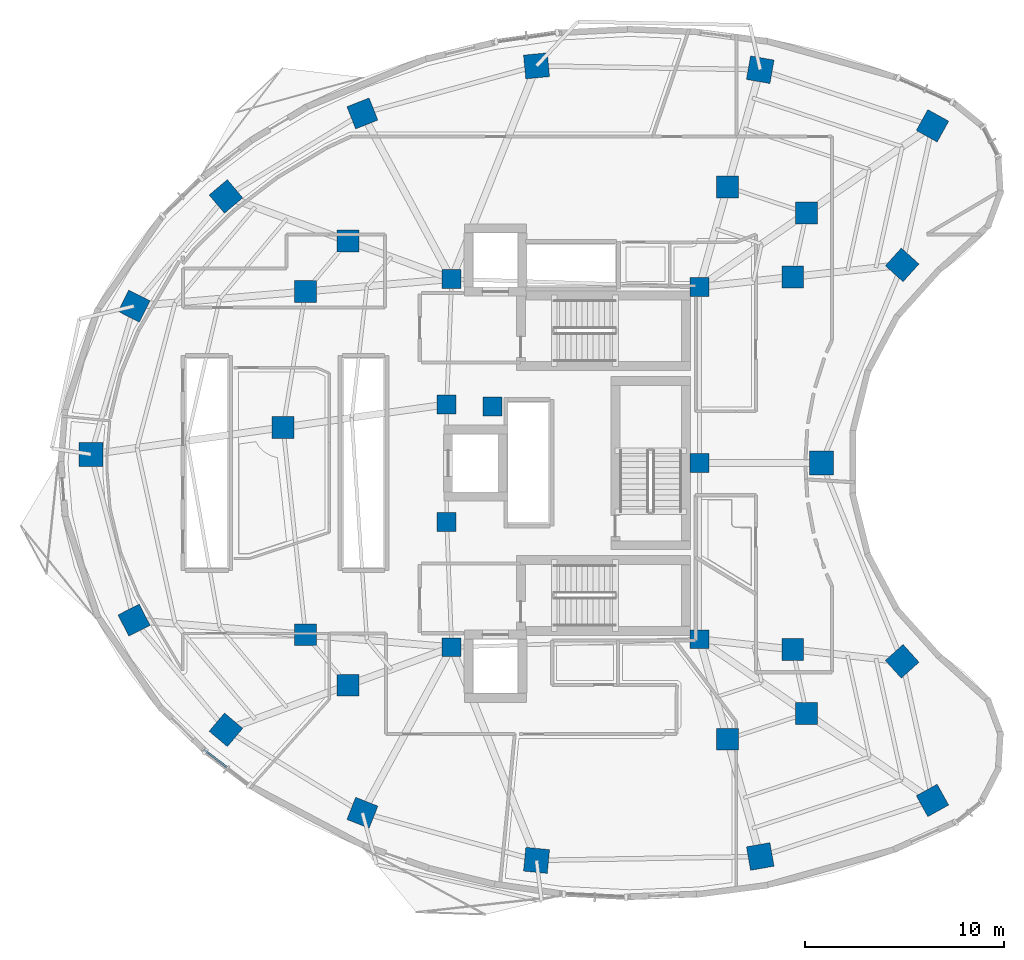
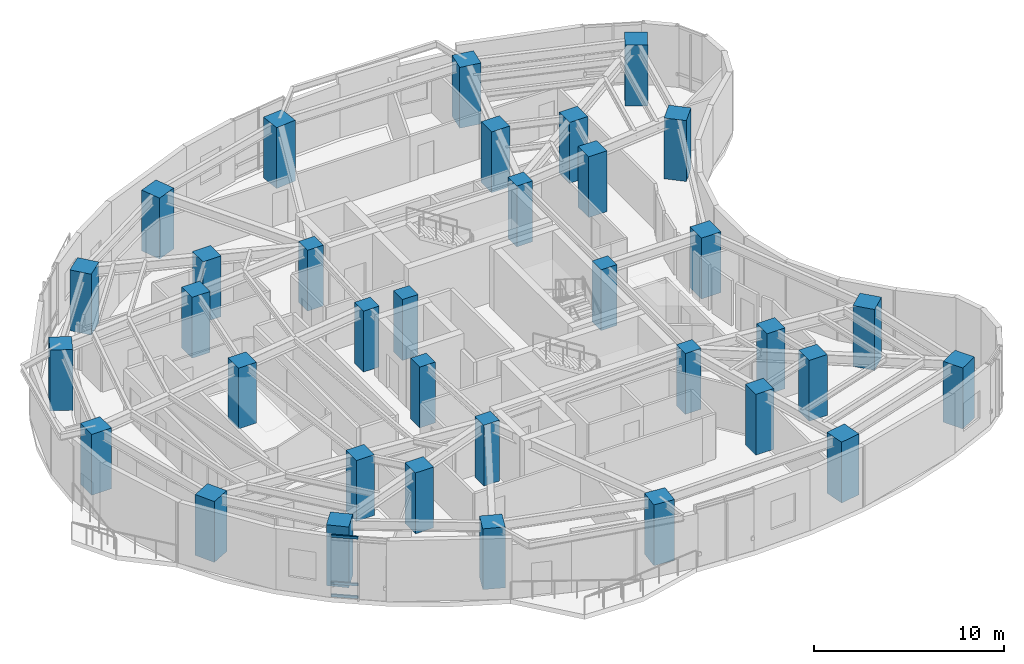
# One storey, part 1 of 14: 35 columns, 3 members, 1 element without a shape of its own.
"""IFC4 building model written with IfcOpenShell, lengths in metres."""

from ifc_helpers import new_model, si_unit, direction, frame, origin, origin_2d, place, context, subcontext, project, spatial, rectangle, extrude, material, layer, layer_set, material_profile, profile_set, type_object, element, aggregate, save


model = new_model("IFC4")

# Units and contexts
model_context = context("Model", 3, precision=1e-05, world=origin(), true_north=direction((0.0, 1.0)))
body_context = subcontext(model_context, "Body", "Model", "MODEL_VIEW")
ifc_project = project(units=[si_unit("LENGTHUNIT", "METRE"), si_unit("AREAUNIT", "SQUARE_METRE"), si_unit("VOLUMEUNIT", "CUBIC_METRE"), si_unit("PLANEANGLEUNIT", "RADIAN"), si_unit("MASSUNIT", "GRAM", prefix="KILO")], contexts=[model_context])

# Site, building, storey
site_placement = place(None, origin())
site = spatial("IfcSite", under=ifc_project, at=site_placement, CompositionType="ELEMENT")
building_placement = place(site_placement, origin())
building = spatial("IfcBuilding", under=site, at=building_placement, Name="Korentha Bioscience Tower", CompositionType="ELEMENT")
storey_placement = place(building_placement, frame((0.0, 0.0, 90.0)))
storey = spatial("IfcBuildingStorey", under=building, at=storey_placement, Name="L20", CompositionType="ELEMENT", Elevation=90.0)

# Columns
ifc_material_1 = material(Name="Concrete C65", Category="concrete")
ifc_material_profile_1 = material_profile(ifc_material_1, rectangle(XDim=0.949951171875, YDim=0.949951171875, at=origin_2d()), Name="Concrete C65")
ifc_profile_set_1 = profile_set([ifc_material_profile_1], Name="Concrete C65 (COL-CP09)")
column_type_1 = type_object("IfcColumnType", Name="Core Pilaster Column RC 950x950", PredefinedType="PILASTER", material=ifc_profile_set_1)
for number, where, z_axis, x_axis, name in (
    (1, (37.550048828125, 35.85009765625, -0.00048828125), (0.0, 0.0, 1.0), (1.0, 0.0, 0.0), "L20 Core Pilaster CP-01"),
    (2, (25.10009765625, 36.25, -0.00048828125), (0.0, 0.0, 1.0), (1.0, 0.0, 0.0), "L20 Core Pilaster CP-02"),
    (3, (24.85009765625, 29.949951171875, -0.00048828125), (0.0, 0.0, 1.0), (1.0, 0.0, 0.0), "L20 Core Pilaster CP-03"),
    (4, (27.14990234375, 29.85009765625, -0.00048828125), (0.0, 0.0, 1.0), (1.0, 0.0, 0.0), "L20 Core Pilaster CP-04"),
    (5, (24.85009765625, 24.050048828125, -0.00048828125), (0.0, 0.0, 1.0), (1.0, 0.0, 0.0), "L20 Core Pilaster CP-05"),
    (6, (25.10009765625, 17.75, -0.00048828125), (0.0, 0.0, 1.0), (1.0, 0.0, 0.0), "L20 Core Pilaster CP-06"),
    (7, (37.550048828125, 18.14990234375, -0.00048828125), (0.0, 0.0, 1.0), (1.0, 0.0, 0.0), "L20 Core Pilaster CP-07"),
    (8, (37.550048828125, 27.0, -0.00048828125), (0.0, 0.0, 1.0), (1.0, 0.0, 0.0), "L20 Core Pilaster CP-08"),
):
    element("IfcColumn", number, at=place(storey_placement, frame(where, z_axis=z_axis, x_axis=x_axis)), inside=storey, type_object=column_type_1, Name=name, PredefinedType="PILASTER", context=body_context, shape_type="SweptSolid", body=[
        extrude(rectangle(XDim=0.949951171875, YDim=0.949951171875, at=origin_2d()), origin(), (0.0, 0.0, 1.0), 3.90087890625),
    ])
ifc_material_2 = material(Name="Concrete C80", Category="concrete")
ifc_material_profile_2 = material_profile(ifc_material_2, rectangle(XDim=1.10009765625, YDim=1.10009765625, at=origin_2d()), Name="Concrete C80")
ifc_profile_set_2 = profile_set([ifc_material_profile_2], Name="Concrete C80 (COL-MR11)")
column_type_2 = type_object("IfcColumnType", Name="Mid-Ring Lab Column RC 1100x1100", PredefinedType="COLUMN", material=ifc_profile_set_2)
for number, where, z_axis, x_axis, name in (
    (9, (42.93603515625, 39.57470703125, -0.00048828125), (0.0, 0.0, 1.0), (1.0, 0.0, 0.0), "L20 Mid-Ring Column 01"),
    (10, (38.954833984375, 40.870849609375, -0.00048828125), (0.0, 0.0, 1.0), (1.0, 0.0, 0.0), "L20 Mid-Ring Column 02"),
    (11, (19.882568359375, 38.158935546875, -0.00048828125), (0.0, 0.0, 1.0), (1.0, 0.0, 0.0), "L20 Mid-Ring Column 05"),
    (12, (17.75927734375, 35.6240234375, -0.00048828125), (0.0, 0.0, 1.0), (1.0, 0.0, 0.0), "L20 Mid-Ring Column 06"),
    (13, (16.627197265625, 28.796630859375, -0.00048828125), (0.0, 0.0, 1.0), (1.0, 0.0, 0.0), "L20 Mid-Ring Column 07"),
    (14, (17.75927734375, 18.3759765625, -0.00048828125), (0.0, 0.0, 1.0), (1.0, 0.0, 0.0), "L20 Mid-Ring Column 08"),
    (15, (19.882568359375, 15.841064453125, -0.00048828125), (0.0, 0.0, 1.0), (1.0, 0.0, 0.0), "L20 Mid-Ring Column 09"),
    (16, (38.954833984375, 13.129150390625, -0.00048828125), (0.0, 0.0, 1.0), (1.0, 0.0, 0.0), "L20 Mid-Ring Column 12"),
    (17, (42.93603515625, 14.42529296875, -0.00048828125), (0.0, 0.0, 1.0), (1.0, 0.0, 0.0), "L20 Mid-Ring Column 13"),
    (18, (42.235595703125, 17.639404296875, -0.00048828125), (0.0, 0.0, 1.0), (1.0, 0.0, 0.0), "L20 Mid-Ring Column 14"),
    (19, (42.235595703125, 36.360595703125, -0.00048828125), (0.0, 0.0, 1.0), (1.0, 0.0, 0.0), "L20 Mid-Ring Column 16"),
):
    element("IfcColumn", number, at=place(storey_placement, frame(where, z_axis=z_axis, x_axis=x_axis)), inside=storey, type_object=column_type_2, Name=name, PredefinedType="COLUMN", context=body_context, shape_type="SweptSolid", body=[
        extrude(rectangle(XDim=1.10009765625, YDim=1.10009765625, at=origin_2d()), origin(), (0.0, 0.0, 1.0), 3.90087890625),
    ])
ifc_material_profile_3 = material_profile(ifc_material_2, rectangle(XDim=1.199951171875, YDim=1.199951171875, at=origin_2d()), Name="Concrete C80")
ifc_profile_set_3 = profile_set([ifc_material_profile_3], Name="Concrete C80 (COL-P12)")
column_type_3 = type_object("IfcColumnType", Name="Perimeter Column RC 1200x1200", PredefinedType="COLUMN", material=ifc_profile_set_3)
for number, where, z_axis, x_axis, name in (
    (20, (49.2587890625, 43.947021484375, -0.00048828125), (0.0, 0.0, 1.0), (-0.874535078577, 0.484962262797, 0.0), "L20 Perimeter Column 01"),
    (21, (40.604248046875, 46.764892578125, -0.00048828125), (0.0, 0.0, 1.0), (-0.984868307662, 0.173304404339, 0.0), "L20 Perimeter Column 02"),
    (22, (29.3642578125, 46.959228515625, -0.00048828125), (0.0, 0.0, 1.0), (0.995462868748, 0.095150811579, 0.0), "L20 Perimeter Column 03"),
    (23, (20.614990234375, 44.5693359375, -0.00048828125), (0.0, 0.0, 1.0), (0.930225540858, 0.366988341962, 0.0), "L20 Perimeter Column 04"),
    (24, (13.7578125, 40.400146484375, -0.00048828125), (0.0, 0.0, 1.0), (0.764246456939, 0.644924300253, 0.0), "L20 Perimeter Column 05"),
    (25, (9.141845703125, 34.889404296875, -0.00048828125), (0.0, 0.0, 1.0), (0.453057191132, 0.891481453292, 0.0), "L20 Perimeter Column 06"),
    (26, (6.97412109375, 27.4423828125, -0.00048828125), (0.0, 0.0, 1.0), (0.0, 1.0, 0.0), "L20 Perimeter Column 07"),
    (27, (9.141845703125, 19.110595703125, -0.00048828125), (0.0, 0.0, 1.0), (-0.453057191132, 0.891481453292, 0.0), "L20 Perimeter Column 08"),
    (28, (13.7578125, 13.599853515625, -0.00048828125), (0.0, 0.0, 1.0), (-0.764246456939, 0.644924300253, 0.0), "L20 Perimeter Column 09"),
    (29, (20.614990234375, 9.4306640625, -0.00048828125), (0.0, 0.0, 1.0), (-0.930225540858, 0.366988341962, 0.0), "L20 Perimeter Column 10"),
    (30, (29.3642578125, 7.040771484375, -0.00048828125), (0.0, 0.0, 1.0), (-0.995462868748, 0.095150811579, 0.0), "L20 Perimeter Column 11"),
    (31, (40.604248046875, 7.235107421875, -0.00048828125), (0.0, 0.0, 1.0), (0.984868307662, 0.173304404339, 0.0), "L20 Perimeter Column 12"),
    (32, (49.2587890625, 10.052978515625, -0.00048828125), (0.0, 0.0, 1.0), (0.874535078577, 0.484962262797, 0.0), "L20 Perimeter Column 13"),
    (33, (47.736083984375, 17.040283203125, -0.00048828125), (0.0, 0.0, 1.0), (-0.669130606359, 0.743144825477, 0.0), "L20 Perimeter Column 14"),
    (34, (43.680908203125, 27.0, -0.00048828125), (0.0, 0.0, 1.0), (0.0, 1.0, 0.0), "L20 Perimeter Column 15"),
    (35, (47.736083984375, 36.959716796875, -0.00048828125), (0.0, 0.0, 1.0), (0.669130606359, 0.743144825477, 0.0), "L20 Perimeter Column 16"),
):
    element("IfcColumn", number, at=place(storey_placement, frame(where, z_axis=z_axis, x_axis=x_axis)), inside=storey, type_object=column_type_3, Name=name, PredefinedType="COLUMN", context=body_context, shape_type="SweptSolid", body=[
        extrude(rectangle(XDim=1.199951171875, YDim=1.199951171875, at=origin_2d()), origin(), (0.0, 0.0, 1.0), 3.90087890625),
    ])

# Curtain wall, members
ifc_material_3 = material(Name="Thermally Broken Aluminium Frame", Category="aluminium")
ifc_layer = layer(ifc_material_3, 0.219970703125, Name="Thermally Broken Aluminium Frame")
ifc_layer_set = layer_set([ifc_layer], Name="Thermally Broken Aluminium Frame (CW-T2)")
curtain_wall_type = type_object("IfcCurtainWallType", Name="Solar-Screened Lab Unitised Curtain Wall CW-T2", PredefinedType="USERDEFINED", material=ifc_layer_set)
curtain_wall_placement = place(storey_placement, origin())
curtain_wall = element("IfcCurtainWall", 36, at=curtain_wall_placement, inside=storey, type_object=curtain_wall_type, Name="L20 Curtain Wall 25", ObjectType="UNITISED", PredefinedType="USERDEFINED")
ifc_material_4 = material(Name="Anodised Aluminium 6063-T6", Category="aluminium")
ifc_material_profile_4 = material_profile(ifc_material_4, rectangle(XDim=0.090087890625, YDim=0.159912109375, at=origin_2d()), Name="Anodised Aluminium 6063-T6")
ifc_profile_set_4 = profile_set([ifc_material_profile_4], Name="Anodised Aluminium 6063-T6 (CW-TRN)")
member_type = type_object("IfcMemberType", Name="Transom RECT 90x160", PredefinedType="USERDEFINED", material=ifc_profile_set_4)
member_1_placement = place(storey_placement, frame((12.659912109375, 12.601318359375, 0.044921875), z_axis=(0.794559026989, -0.607186917374, 0.0), x_axis=(0.607186917374, 0.794559026989, 0.0)))
member_1 = element("IfcMember", 37, at=member_1_placement, type_object=member_type, Name="CW-L20-25 Bay 1 Transom 1", ObjectType="TRANSOM", PredefinedType="USERDEFINED", context=body_context, shape_type="SweptSolid", body=[
    extrude(rectangle(XDim=0.090087890625, YDim=0.159912109375, at=origin_2d()), origin(), (0.0, 0.0, 1.0), 1.4462890625),
])
member_2_placement = place(storey_placement, frame((12.659912109375, 12.601318359375, 0.85009765625), z_axis=(0.794559026989, -0.607186917374, 0.0), x_axis=(0.607186917374, 0.794559026989, 0.0)))
member_2 = element("IfcMember", 38, at=member_2_placement, type_object=member_type, Name="CW-L20-25 Bay 1 Transom 2", ObjectType="TRANSOM", PredefinedType="USERDEFINED", context=body_context, shape_type="SweptSolid", body=[
    extrude(rectangle(XDim=0.090087890625, YDim=0.159912109375, at=origin_2d()), origin(), (0.0, 0.0, 1.0), 1.4462890625),
])
member_3_placement = place(storey_placement, frame((12.659912109375, 12.601318359375, 3.85498046875), z_axis=(0.794559026989, -0.607186917374, 0.0), x_axis=(0.607186917374, 0.794559026989, 0.0)))
member_3 = element("IfcMember", 39, at=member_3_placement, type_object=member_type, Name="CW-L20-25 Bay 1 Transom 3", ObjectType="TRANSOM", PredefinedType="USERDEFINED", context=body_context, shape_type="SweptSolid", body=[
    extrude(rectangle(XDim=0.090087890625, YDim=0.159912109375, at=origin_2d()), origin(), (0.0, 0.0, 1.0), 1.4462890625),
])
aggregate(curtain_wall, [member_1, member_2, member_3])

save(model, "model.ifc")
